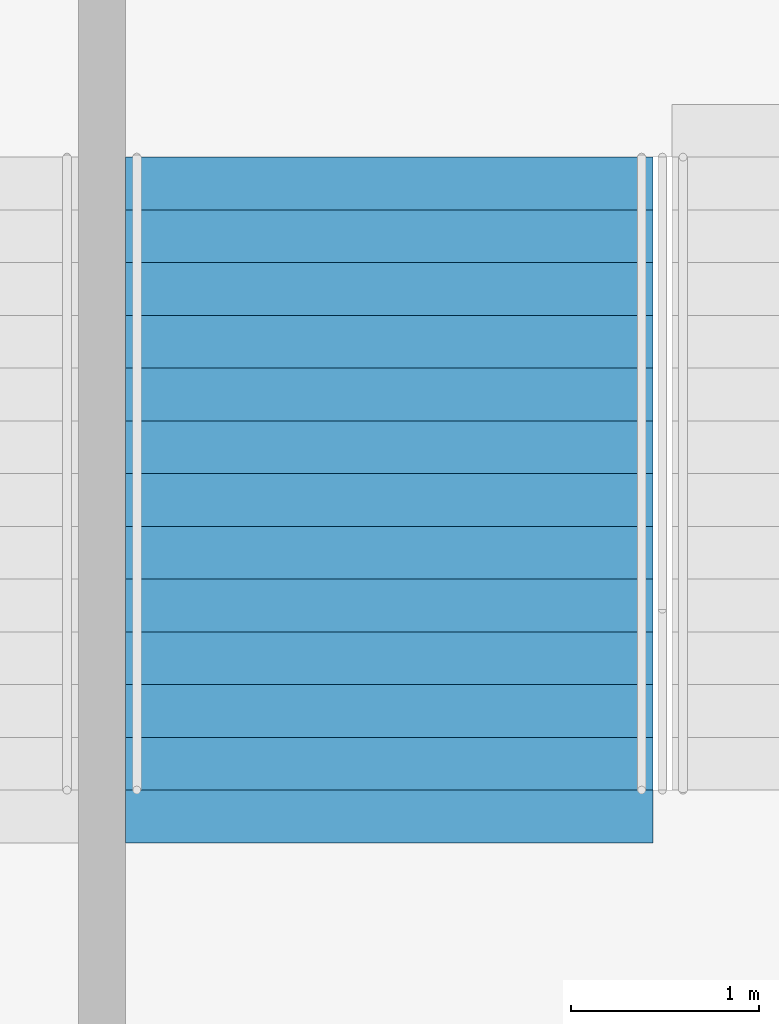
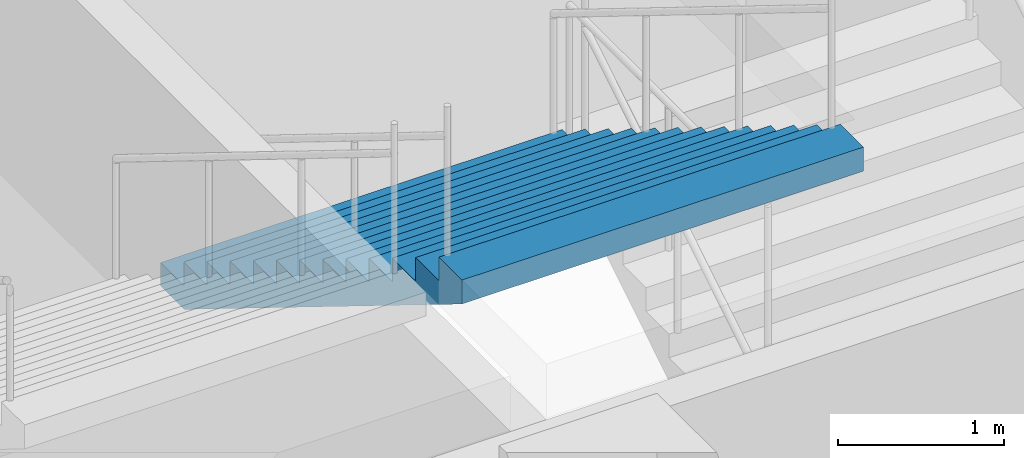
# One storey, part 168 of 199: 1 stair flight, 1 element without a shape of its own.
"""IFC4 building model written with IfcOpenShell, lengths in metres."""

import ifcopenshell
import ifcopenshell.guid

model = None  # the IFC model being written
_history = None  # IfcOwnerHistory: only IFC2X3 demands one
_inside = {}  # id of a spatial element -> (the spatial element, [elements in it])
_under = {}  # id of a project, library or spatial element -> (it, [spatial elements below it])
_declared = {}  # id of a project -> (the project, [libraries it declares])
_typed = {}  # id of a type object -> (the type object, [elements of that type])
_made_of = {}  # id of a material, layer set ... -> (it, [elements and type objects made of it])


def new_model(schema):
    """Start an empty IFC model of exactly this schema.

    Asked for "IFC4X3", IfcOpenShell would pick the latest addendum, in which some entities
    have other attributes; the version numbers below select the first issue.
    IFC2X3 requires an IfcOwnerHistory on every rooted entity: one is made here for all.
    """
    global model, _history
    if schema == "IFC4X3":
        model = ifcopenshell.file(schema_version=(4, 3, 0, 0))
    else:
        model = ifcopenshell.file(schema=schema)
    _inside.clear()
    _under.clear()
    _declared.clear()
    _typed.clear()
    _made_of.clear()
    _history = None
    if model.schema == "IFC2X3":
        org = make("IfcOrganization", Name="unknown")
        user = make(
            "IfcPersonAndOrganization",
            ThePerson=make("IfcPerson", FamilyName="unknown"),
            TheOrganization=org,
        )
        app = make(
            "IfcApplication",
            ApplicationDeveloper=org,
            Version="unknown",
            ApplicationFullName="unknown",
            ApplicationIdentifier="unknown",
        )
        _history = make(
            "IfcOwnerHistory",
            OwningUser=user,
            OwningApplication=app,
            ChangeAction="ADDED",
            CreationDate=0,
        )
    return model


def make(cls, **values):
    """One entity of the class cls with the attributes given. An attribute that is None is left unset."""
    return model.create_entity(
        cls, **{name: value for name, value in values.items() if value is not None}
    )


def rooted(cls, **values):
    """An entity with a GlobalId (a new one), such as an element, a storey or a relation."""
    return make(cls, GlobalId=ifcopenshell.guid.new(), OwnerHistory=_history, **values)


def si_unit(unit_type, name, prefix=None):
    """IfcSIUnit, for example si_unit("LENGTHUNIT", "METRE", prefix="MILLI")."""
    return make("IfcSIUnit", UnitType=unit_type, Prefix=prefix, Name=name)


def assignment(units):
    """IfcUnitAssignment: the units of a project."""
    return None if units is None else make("IfcUnitAssignment", Units=units)


def point(xyz):
    """IfcCartesianPoint."""
    return None if xyz is None else make("IfcCartesianPoint", Coordinates=xyz)


def direction(xyz):
    """IfcDirection."""
    return None if xyz is None else make("IfcDirection", DirectionRatios=xyz)


def frame(location, z_axis=None, x_axis=None):
    """IfcAxis2Placement3D, a coordinate frame: its origin and axes. An axis left out is left unset."""
    return make(
        "IfcAxis2Placement3D",
        Location=point(location),
        Axis=direction(z_axis),
        RefDirection=direction(x_axis),
    )


def origin():
    """The frame at (0, 0, 0) with its axes left unset."""
    return frame((0.0, 0.0, 0.0))


def place(relative_to, where):
    """IfcLocalPlacement: puts the frame where relative to a parent placement (None: the world)."""
    return make(
        "IfcLocalPlacement", PlacementRelTo=relative_to, RelativePlacement=where
    )


def context(
    kind, dimensions, precision=None, world=None, true_north=None, identifier=None
):
    """IfcGeometricRepresentationContext, for example the 3D "Model" context."""
    return make(
        "IfcGeometricRepresentationContext",
        ContextIdentifier=identifier,
        ContextType=kind,
        CoordinateSpaceDimension=dimensions,
        Precision=precision,
        WorldCoordinateSystem=world,
        TrueNorth=true_north,
    )


def subcontext(parent, identifier, kind, view, scale=None):
    """IfcGeometricRepresentationSubContext, for example "Body" below "Model"."""
    return make(
        "IfcGeometricRepresentationSubContext",
        ContextIdentifier=identifier,
        ContextType=kind,
        ParentContext=parent,
        TargetScale=scale,
        TargetView=view,
    )


def project(units=None, contexts=None):
    """IfcProject with its units and contexts."""
    return rooted(
        "IfcProject",
        Name="project",
        RepresentationContexts=contexts,
        UnitsInContext=assignment(units),
    )


def spatial(cls, under=None, at=None, **own):
    """A site, building, storey or space (cls), placed at a placement, below another one or the project."""
    s = rooted(cls, ObjectPlacement=at, **own)
    if under is not None:
        _under.setdefault(under.id(), (under, []))[1].append(s)
    return s


def faces_of(points, faces, orient=None, outer=None):
    """IfcFace entities. A face is a list of loops; a loop is a list of indices into points, from 0.

    orient and outer hold one flag for each loop. By default every Orientation is true, the
    first loop of a face is its IfcFaceOuterBound and the others are IfcFaceBound.
    """
    made = []
    for i, loops in enumerate(faces):
        bounds = []
        for j, loop in enumerate(loops):
            is_outer = j == 0 if outer is None else outer[i][j]
            bounds.append(
                make(
                    "IfcFaceOuterBound" if is_outer else "IfcFaceBound",
                    Bound=make("IfcPolyLoop", Polygon=[points[k] for k in loop]),
                    Orientation=True if orient is None else orient[i][j],
                )
            )
        made.append(make("IfcFace", Bounds=bounds))
    return made


def faceted_brep(points, faces, orient=None, outer=None, voids=None):
    """IfcFacetedBrep: a solid bounded by flat faces; with voids (closed shells), ...WithVoids."""
    shared = [point(p) for p in points]
    hull = make("IfcClosedShell", CfsFaces=faces_of(shared, faces, orient, outer))
    if voids is None:
        return make("IfcFacetedBrep", Outer=hull)
    return make(
        "IfcFacetedBrepWithVoids",
        Outer=hull,
        Voids=[
            make(cls, CfsFaces=faces_of(shared, fs, o, b)) for cls, fs, o, b in voids
        ],
    )


def shape(context_of_items, identifier, shape_type, items):
    """IfcShapeRepresentation: the items that make up one representation, for example the "Body"."""
    return make(
        "IfcShapeRepresentation",
        ContextOfItems=context_of_items,
        RepresentationIdentifier=identifier,
        RepresentationType=shape_type,
        Items=items,
    )


def material(Name=None, Category=None):
    """IfcMaterial."""
    return make("IfcMaterial", Name=Name, Category=Category)


def made_of(thing, what):
    """Note that an element or type object is made of a material, layer set ...; save() writes the relation."""
    if what is not None:
        _made_of.setdefault(what.id(), (what, []))[1].append(thing)
    return thing


def type_object(cls, material=None, **own):
    """A type object (cls), such as IfcWallType, which elements share."""
    return made_of(rooted(cls, **own), material)


def element(
    cls,
    number,
    at=None,
    inside=None,
    cuts=None,
    type_object=None,
    material=None,
    context=None,
    identifier="Body",
    shape_type=None,
    held_by="IfcProductDefinitionShape",
    body=None,
    shapes=None,
    **own,
):
    """One element of the class cls, such as IfcWall. Its Tag is "e" and its number.

    at: its placement. inside: the storey or other place that contains it. cuts: it is an
    opening in that element (IfcRelVoidsElement). A single representation is given by context,
    identifier, shape_type and body (its items); several are given by shapes. held_by: the class
    of the entity that holds the representations. save() writes the other relations.
    """
    e = rooted(cls, Tag="e%d" % number, ObjectPlacement=at, **own)
    if body is not None:
        shapes = [shape(context, identifier, shape_type, body)]
    if shapes is not None:
        e.Representation = make(held_by, Representations=shapes)
    if inside is not None:
        _inside.setdefault(inside.id(), (inside, []))[1].append(e)
    if cuts is not None:
        rooted(
            "IfcRelVoidsElement", RelatingBuildingElement=cuts, RelatedOpeningElement=e
        )
    if type_object is not None:
        _typed.setdefault(type_object.id(), (type_object, []))[1].append(e)
    return made_of(e, material)


def aggregate(whole, parts):
    """IfcRelAggregates: a whole, such as a stair, and the parts it consists of."""
    return rooted("IfcRelAggregates", RelatingObject=whole, RelatedObjects=parts)


def save(model, path):
    """Write the relations noted so far, then the file.

    IfcRelAggregates (storeys below a building ...), IfcRelContainedInSpatialStructure (elements
    in a storey), IfcRelDefinesByType, IfcRelAssociatesMaterial and IfcRelDeclares: one each for
    every whole, place, type object, material and project.
    """
    for whole, parts in _under.values():
        aggregate(whole, parts)
    for where, things in _inside.values():
        rooted(
            "IfcRelContainedInSpatialStructure",
            RelatedElements=things,
            RelatingStructure=where,
        )
    for kind, things in _typed.values():
        rooted("IfcRelDefinesByType", RelatedObjects=things, RelatingType=kind)
    for what, things in _made_of.values():
        rooted("IfcRelAssociatesMaterial", RelatedObjects=things, RelatingMaterial=what)
    for by, libraries in _declared.values():
        rooted("IfcRelDeclares", RelatingContext=by, RelatedDefinitions=libraries)
    model.write(path)


model = new_model("IFC4")

# Units and contexts
model_context = context("Model", 3, precision=1e-05, world=origin(), true_north=direction((0.0, 1.0)))
body_context = subcontext(model_context, "Body", "Model", "MODEL_VIEW")
ifc_project = project(units=[si_unit("LENGTHUNIT", "METRE"), si_unit("AREAUNIT", "SQUARE_METRE"), si_unit("VOLUMEUNIT", "CUBIC_METRE"), si_unit("PLANEANGLEUNIT", "RADIAN"), si_unit("MASSUNIT", "GRAM", prefix="KILO")], contexts=[model_context])

# Site, building, storey
site_placement = place(None, origin())
site = spatial("IfcSite", under=ifc_project, at=site_placement, CompositionType="ELEMENT")
building_placement = place(site_placement, origin())
building = spatial("IfcBuilding", under=site, at=building_placement, Name="Ogive Plaza Stadium", CompositionType="ELEMENT")
storey_placement = place(building_placement, frame((0.0, 0.0, 4.5)))
storey = spatial("IfcBuildingStorey", under=building, at=storey_placement, Name="L01", CompositionType="ELEMENT", Elevation=4.5)

# Stair, stair flight
ifc_material_1 = material(Name="Concrete C40/50", Category="concrete")
stair_type = type_object("IfcStairType", Name="Exit stair", PredefinedType="STRAIGHT_RUN_STAIR", material=ifc_material_1)
stair_placement = place(storey_placement, origin())
stair = element("IfcStair", 1, at=stair_placement, inside=storey, type_object=stair_type, Name="Exit stair ST34A L01 to L02", PredefinedType="STRAIGHT_RUN_STAIR")
ifc_material_2 = material(Name="Concrete C40/50", Category="concrete")
stair_flight_type = type_object("IfcStairFlightType", Name="Exit stair flight", PredefinedType="STRAIGHT", material=ifc_material_2)
stair_flight_placement = place(storey_placement, frame((-5.27490234375, 98.2099609375, 2.25), z_axis=(0.0, 0.0, 1.0), x_axis=(0.0, -1.0, 0.0)))
stair_flight = element("IfcStairFlight", 2, at=stair_flight_placement, type_object=stair_flight_type, Name="ST34A flight 2", NumberOfRisers=13, NumberOfTreads=12, PredefinedType="STRAIGHT", RiserHeight=0.173076923, TreadLength=0.28, context=body_context, shape_type="Brep", body=[
    faceted_brep([(0.28515625, -1.39990234375, 0.0), (3.639892578125, -1.39990234375, 2.07373046875), (3.639892578125, -1.39990234375, 2.25), (3.360107421875, -1.39990234375, 2.25), (3.360107421875, -1.39990234375, 2.076904296875), (3.080078125, -1.39990234375, 2.076904296875), (3.080078125, -1.39990234375, 1.90380859375), (2.800048828125, -1.39990234375, 1.90380859375), (2.800048828125, -1.39990234375, 1.730712890625), (2.52001953125, -1.39990234375, 1.730712890625), (2.52001953125, -1.39990234375, 1.5576171875), (2.239990234375, -1.39990234375, 1.5576171875), (2.239990234375, -1.39990234375, 1.384521484375), (1.9599609375, -1.39990234375, 1.384521484375), (1.9599609375, -1.39990234375, 1.21142578125), (1.679931640625, -1.39990234375, 1.21142578125), (1.679931640625, -1.39990234375, 1.03857421875), (1.39990234375, -1.39990234375, 1.03857421875), (1.39990234375, -1.39990234375, 0.865478515625), (1.1201171875, -1.39990234375, 0.865478515625), (1.1201171875, -1.39990234375, 0.6923828125), (0.840087890625, -1.39990234375, 0.6923828125), (0.840087890625, -1.39990234375, 0.519287109375), (0.56005859375, -1.39990234375, 0.519287109375), (0.56005859375, -1.39990234375, 0.34619140625), (0.280029296875, -1.39990234375, 0.34619140625), (0.280029296875, -1.39990234375, 0.173095703125), (0.0, -1.39990234375, 0.173095703125), (0.0, -1.39990234375, 0.0), (0.0, 1.39990234375, 0.0), (0.0, 1.39990234375, 0.173095703125), (0.280029296875, 1.39990234375, 0.173095703125), (0.280029296875, 1.39990234375, 0.34619140625), (0.56005859375, 1.39990234375, 0.34619140625), (0.56005859375, 1.39990234375, 0.519287109375), (0.840087890625, 1.39990234375, 0.519287109375), (0.840087890625, 1.39990234375, 0.6923828125), (1.1201171875, 1.39990234375, 0.6923828125), (1.1201171875, 1.39990234375, 0.865478515625), (1.39990234375, 1.39990234375, 0.865478515625), (1.39990234375, 1.39990234375, 1.03857421875), (1.679931640625, 1.39990234375, 1.03857421875), (1.679931640625, 1.39990234375, 1.21142578125), (1.9599609375, 1.39990234375, 1.21142578125), (1.9599609375, 1.39990234375, 1.384521484375), (2.239990234375, 1.39990234375, 1.384521484375), (2.239990234375, 1.39990234375, 1.5576171875), (2.52001953125, 1.39990234375, 1.5576171875), (2.52001953125, 1.39990234375, 1.730712890625), (2.800048828125, 1.39990234375, 1.730712890625), (2.800048828125, 1.39990234375, 1.90380859375), (3.080078125, 1.39990234375, 1.90380859375), (3.080078125, 1.39990234375, 2.076904296875), (3.360107421875, 1.39990234375, 2.076904296875), (3.360107421875, 1.39990234375, 2.25), (3.639892578125, 1.39990234375, 2.25), (3.639892578125, 1.39990234375, 2.07373046875), (0.28515625, 1.39990234375, 0.0), (0.28515625, -1.0888671875, 0.0), (3.639892578125, -1.0888671875, 2.07373046875), (0.28515625, -0.77783203125, 0.0), (3.639892578125, -0.77783203125, 2.07373046875), (0.28515625, -0.466796875, 0.0), (3.639892578125, -0.466796875, 2.07373046875), (0.28515625, -0.155517578125, 0.0), (3.639892578125, -0.155517578125, 2.07373046875), (0.28515625, 0.155517578125, 0.0), (3.639892578125, 0.155517578125, 2.07373046875), (0.28515625, 0.466796875, 0.0), (3.639892578125, 0.466796875, 2.07373046875), (0.28515625, 0.77783203125, 0.0), (3.639892578125, 0.77783203125, 2.07373046875), (0.28515625, 1.0888671875, 0.0), (3.639892578125, 1.0888671875, 2.07373046875), (3.639892578125, -1.0888671875, 2.25), (3.639892578125, -0.77783203125, 2.25), (3.639892578125, -0.466796875, 2.25), (3.639892578125, -0.155517578125, 2.25), (3.639892578125, 0.155517578125, 2.25), (3.639892578125, 0.466796875, 2.25), (3.639892578125, 0.77783203125, 2.25), (3.639892578125, 1.0888671875, 2.25), (3.360107421875, -1.0888671875, 2.25), (3.360107421875, -0.77783203125, 2.25), (3.360107421875, -0.466796875, 2.25), (3.360107421875, -0.155517578125, 2.25), (3.360107421875, 0.155517578125, 2.25), (3.360107421875, 0.466796875, 2.25), (3.360107421875, 0.77783203125, 2.25), (3.360107421875, 1.0888671875, 2.25), (3.360107421875, -1.0888671875, 2.076904296875), (3.360107421875, -0.77783203125, 2.076904296875), (3.360107421875, -0.466796875, 2.076904296875), (3.360107421875, -0.155517578125, 2.076904296875), (3.360107421875, 0.155517578125, 2.076904296875), (3.360107421875, 0.466796875, 2.076904296875), (3.360107421875, 0.77783203125, 2.076904296875), (3.360107421875, 1.0888671875, 2.076904296875), (3.080078125, -1.0888671875, 2.076904296875), (3.080078125, -0.77783203125, 2.076904296875), (3.080078125, -0.466796875, 2.076904296875), (3.080078125, -0.155517578125, 2.076904296875), (3.080078125, 0.155517578125, 2.076904296875), (3.080078125, 0.466796875, 2.076904296875), (3.080078125, 0.77783203125, 2.076904296875), (3.080078125, 1.0888671875, 2.076904296875), (3.080078125, -1.0888671875, 1.90380859375), (3.080078125, -0.77783203125, 1.90380859375), (3.080078125, -0.466796875, 1.90380859375), (3.080078125, -0.155517578125, 1.90380859375), (3.080078125, 0.155517578125, 1.90380859375), (3.080078125, 0.466796875, 1.90380859375), (3.080078125, 0.77783203125, 1.90380859375), (3.080078125, 1.0888671875, 1.90380859375), (2.800048828125, -1.0888671875, 1.90380859375), (2.800048828125, -0.77783203125, 1.90380859375), (2.800048828125, -0.466796875, 1.90380859375), (2.800048828125, -0.155517578125, 1.90380859375), (2.800048828125, 0.155517578125, 1.90380859375), (2.800048828125, 0.466796875, 1.90380859375), (2.800048828125, 0.77783203125, 1.90380859375), (2.800048828125, 1.0888671875, 1.90380859375), (2.800048828125, -1.0888671875, 1.730712890625), (2.800048828125, -0.77783203125, 1.730712890625), (2.800048828125, -0.466796875, 1.730712890625), (2.800048828125, -0.155517578125, 1.730712890625), (2.800048828125, 0.155517578125, 1.730712890625), (2.800048828125, 0.466796875, 1.730712890625), (2.800048828125, 0.77783203125, 1.730712890625), (2.800048828125, 1.0888671875, 1.730712890625), (2.52001953125, -1.0888671875, 1.730712890625), (2.52001953125, -0.77783203125, 1.730712890625), (2.52001953125, -0.466796875, 1.730712890625), (2.52001953125, -0.155517578125, 1.730712890625), (2.52001953125, 0.155517578125, 1.730712890625), (2.52001953125, 0.466796875, 1.730712890625), (2.52001953125, 0.77783203125, 1.730712890625), (2.52001953125, 1.0888671875, 1.730712890625), (2.52001953125, -1.0888671875, 1.5576171875), (2.52001953125, -0.77783203125, 1.5576171875), (2.52001953125, -0.466796875, 1.5576171875), (2.52001953125, -0.155517578125, 1.5576171875), (2.52001953125, 0.155517578125, 1.5576171875), (2.52001953125, 0.466796875, 1.5576171875), (2.52001953125, 0.77783203125, 1.5576171875), (2.52001953125, 1.0888671875, 1.5576171875), (2.239990234375, -1.0888671875, 1.5576171875), (2.239990234375, -0.77783203125, 1.5576171875), (2.239990234375, -0.466796875, 1.5576171875), (2.239990234375, -0.155517578125, 1.5576171875), (2.239990234375, 0.155517578125, 1.5576171875), (2.239990234375, 0.466796875, 1.5576171875), (2.239990234375, 0.77783203125, 1.5576171875), (2.239990234375, 1.0888671875, 1.5576171875), (2.239990234375, -1.0888671875, 1.384521484375), (2.239990234375, -0.77783203125, 1.384521484375), (2.239990234375, -0.466796875, 1.384521484375), (2.239990234375, -0.155517578125, 1.384521484375), (2.239990234375, 0.155517578125, 1.384521484375), (2.239990234375, 0.466796875, 1.384521484375), (2.239990234375, 0.77783203125, 1.384521484375), (2.239990234375, 1.0888671875, 1.384521484375), (1.9599609375, -1.0888671875, 1.384521484375), (1.9599609375, -0.77783203125, 1.384521484375), (1.9599609375, -0.466796875, 1.384521484375), (1.9599609375, -0.155517578125, 1.384521484375), (1.9599609375, 0.155517578125, 1.384521484375), (1.9599609375, 0.466796875, 1.384521484375), (1.9599609375, 0.77783203125, 1.384521484375), (1.9599609375, 1.0888671875, 1.384521484375), (1.9599609375, -1.0888671875, 1.21142578125), (1.9599609375, -0.77783203125, 1.21142578125), (1.9599609375, -0.466796875, 1.21142578125), (1.9599609375, -0.155517578125, 1.21142578125), (1.9599609375, 0.155517578125, 1.21142578125), (1.9599609375, 0.466796875, 1.21142578125), (1.9599609375, 0.77783203125, 1.21142578125), (1.9599609375, 1.0888671875, 1.21142578125), (1.679931640625, -1.0888671875, 1.21142578125), (1.679931640625, -0.77783203125, 1.21142578125), (1.679931640625, -0.466796875, 1.21142578125), (1.679931640625, -0.155517578125, 1.21142578125), (1.679931640625, 0.155517578125, 1.21142578125), (1.679931640625, 0.466796875, 1.21142578125), (1.679931640625, 0.77783203125, 1.21142578125), (1.679931640625, 1.0888671875, 1.21142578125), (1.679931640625, -1.0888671875, 1.03857421875), (1.679931640625, -0.77783203125, 1.03857421875), (1.679931640625, -0.466796875, 1.03857421875), (1.679931640625, -0.155517578125, 1.03857421875), (1.679931640625, 0.155517578125, 1.03857421875), (1.679931640625, 0.466796875, 1.03857421875), (1.679931640625, 0.77783203125, 1.03857421875), (1.679931640625, 1.0888671875, 1.03857421875), (1.39990234375, -1.0888671875, 1.03857421875), (1.39990234375, -0.77783203125, 1.03857421875), (1.39990234375, -0.466796875, 1.03857421875), (1.39990234375, -0.155517578125, 1.03857421875), (1.39990234375, 0.155517578125, 1.03857421875), (1.39990234375, 0.466796875, 1.03857421875), (1.39990234375, 0.77783203125, 1.03857421875), (1.39990234375, 1.0888671875, 1.03857421875), (1.39990234375, -1.0888671875, 0.865478515625), (1.39990234375, -0.77783203125, 0.865478515625), (1.39990234375, -0.466796875, 0.865478515625), (1.39990234375, -0.155517578125, 0.865478515625), (1.39990234375, 0.155517578125, 0.865478515625), (1.39990234375, 0.466796875, 0.865478515625), (1.39990234375, 0.77783203125, 0.865478515625), (1.39990234375, 1.0888671875, 0.865478515625), (1.1201171875, -1.0888671875, 0.865478515625), (1.1201171875, -0.77783203125, 0.865478515625), (1.1201171875, -0.466796875, 0.865478515625), (1.1201171875, -0.155517578125, 0.865478515625), (1.1201171875, 0.155517578125, 0.865478515625), (1.1201171875, 0.466796875, 0.865478515625), (1.1201171875, 0.77783203125, 0.865478515625), (1.1201171875, 1.0888671875, 0.865478515625), (1.1201171875, -1.0888671875, 0.6923828125), (1.1201171875, -0.77783203125, 0.6923828125), (1.1201171875, -0.466796875, 0.6923828125), (1.1201171875, -0.155517578125, 0.6923828125), (1.1201171875, 0.155517578125, 0.6923828125), (1.1201171875, 0.466796875, 0.6923828125), (1.1201171875, 0.77783203125, 0.6923828125), (1.1201171875, 1.0888671875, 0.6923828125), (0.840087890625, -1.0888671875, 0.6923828125), (0.840087890625, -0.77783203125, 0.6923828125), (0.840087890625, -0.466796875, 0.6923828125), (0.840087890625, -0.155517578125, 0.6923828125), (0.840087890625, 0.155517578125, 0.6923828125), (0.840087890625, 0.466796875, 0.6923828125), (0.840087890625, 0.77783203125, 0.6923828125), (0.840087890625, 1.0888671875, 0.6923828125), (0.840087890625, -1.0888671875, 0.519287109375), (0.840087890625, -0.77783203125, 0.519287109375), (0.840087890625, -0.466796875, 0.519287109375), (0.840087890625, -0.155517578125, 0.519287109375), (0.840087890625, 0.155517578125, 0.519287109375), (0.840087890625, 0.466796875, 0.519287109375), (0.840087890625, 0.77783203125, 0.519287109375), (0.840087890625, 1.0888671875, 0.519287109375), (0.56005859375, -1.0888671875, 0.519287109375), (0.56005859375, -0.77783203125, 0.519287109375), (0.56005859375, -0.466796875, 0.519287109375), (0.56005859375, -0.155517578125, 0.519287109375), (0.56005859375, 0.155517578125, 0.519287109375), (0.56005859375, 0.466796875, 0.519287109375), (0.56005859375, 0.77783203125, 0.519287109375), (0.56005859375, 1.0888671875, 0.519287109375), (0.56005859375, -1.0888671875, 0.34619140625), (0.56005859375, -0.77783203125, 0.34619140625), (0.56005859375, -0.466796875, 0.34619140625), (0.56005859375, -0.155517578125, 0.34619140625), (0.56005859375, 0.155517578125, 0.34619140625), (0.56005859375, 0.466796875, 0.34619140625), (0.56005859375, 0.77783203125, 0.34619140625), (0.56005859375, 1.0888671875, 0.34619140625), (0.280029296875, -1.0888671875, 0.34619140625), (0.280029296875, -0.77783203125, 0.34619140625), (0.280029296875, -0.466796875, 0.34619140625), (0.280029296875, -0.155517578125, 0.34619140625), (0.280029296875, 0.155517578125, 0.34619140625), (0.280029296875, 0.466796875, 0.34619140625), (0.280029296875, 0.77783203125, 0.34619140625), (0.280029296875, 1.0888671875, 0.34619140625), (0.280029296875, -1.0888671875, 0.173095703125), (0.280029296875, -0.77783203125, 0.173095703125), (0.280029296875, -0.466796875, 0.173095703125), (0.280029296875, -0.155517578125, 0.173095703125), (0.280029296875, 0.155517578125, 0.173095703125), (0.280029296875, 0.466796875, 0.173095703125), (0.280029296875, 0.77783203125, 0.173095703125), (0.280029296875, 1.0888671875, 0.173095703125), (0.0, -1.0888671875, 0.173095703125), (0.0, -0.77783203125, 0.173095703125), (0.0, -0.466796875, 0.173095703125), (0.0, -0.155517578125, 0.173095703125), (0.0, 0.155517578125, 0.173095703125), (0.0, 0.466796875, 0.173095703125), (0.0, 0.77783203125, 0.173095703125), (0.0, 1.0888671875, 0.173095703125), (0.0, -1.0888671875, 0.0), (0.0, -0.77783203125, 0.0), (0.0, -0.466796875, 0.0), (0.0, -0.155517578125, 0.0), (0.0, 0.155517578125, 0.0), (0.0, 0.466796875, 0.0), (0.0, 0.77783203125, 0.0), (0.0, 1.0888671875, 0.0)], [[[0, 1, 2, 3, 4, 5, 6, 7, 8, 9, 10, 11, 12, 13, 14, 15, 16, 17, 18, 19, 20, 21, 22, 23, 24, 25, 26, 27, 28]], [[29, 30, 31, 32, 33, 34, 35, 36, 37, 38, 39, 40, 41, 42, 43, 44, 45, 46, 47, 48, 49, 50, 51, 52, 53, 54, 55, 56, 57]], [[0, 58, 59, 1]], [[58, 60, 61, 59]], [[60, 62, 63, 61]], [[62, 64, 65, 63]], [[64, 66, 67, 65]], [[66, 68, 69, 67]], [[68, 70, 71, 69]], [[70, 72, 73, 71]], [[72, 57, 56, 73]], [[1, 59, 74, 2]], [[59, 61, 75, 74]], [[61, 63, 76, 75]], [[63, 65, 77, 76]], [[65, 67, 78, 77]], [[67, 69, 79, 78]], [[69, 71, 80, 79]], [[71, 73, 81, 80]], [[73, 56, 55, 81]], [[2, 74, 82, 3]], [[74, 75, 83, 82]], [[75, 76, 84, 83]], [[76, 77, 85, 84]], [[77, 78, 86, 85]], [[78, 79, 87, 86]], [[79, 80, 88, 87]], [[80, 81, 89, 88]], [[81, 55, 54, 89]], [[3, 82, 90, 4]], [[82, 83, 91, 90]], [[83, 84, 92, 91]], [[84, 85, 93, 92]], [[85, 86, 94, 93]], [[86, 87, 95, 94]], [[87, 88, 96, 95]], [[88, 89, 97, 96]], [[89, 54, 53, 97]], [[4, 90, 98, 5]], [[90, 91, 99, 98]], [[91, 92, 100, 99]], [[92, 93, 101, 100]], [[93, 94, 102, 101]], [[94, 95, 103, 102]], [[95, 96, 104, 103]], [[96, 97, 105, 104]], [[97, 53, 52, 105]], [[5, 98, 106, 6]], [[98, 99, 107, 106]], [[99, 100, 108, 107]], [[100, 101, 109, 108]], [[101, 102, 110, 109]], [[102, 103, 111, 110]], [[103, 104, 112, 111]], [[104, 105, 113, 112]], [[105, 52, 51, 113]], [[6, 106, 114, 7]], [[106, 107, 115, 114]], [[107, 108, 116, 115]], [[108, 109, 117, 116]], [[109, 110, 118, 117]], [[110, 111, 119, 118]], [[111, 112, 120, 119]], [[112, 113, 121, 120]], [[113, 51, 50, 121]], [[7, 114, 122, 8]], [[114, 115, 123, 122]], [[115, 116, 124, 123]], [[116, 117, 125, 124]], [[117, 118, 126, 125]], [[118, 119, 127, 126]], [[119, 120, 128, 127]], [[120, 121, 129, 128]], [[121, 50, 49, 129]], [[8, 122, 130, 9]], [[122, 123, 131, 130]], [[123, 124, 132, 131]], [[124, 125, 133, 132]], [[125, 126, 134, 133]], [[126, 127, 135, 134]], [[127, 128, 136, 135]], [[128, 129, 137, 136]], [[129, 49, 48, 137]], [[9, 130, 138, 10]], [[130, 131, 139, 138]], [[131, 132, 140, 139]], [[132, 133, 141, 140]], [[133, 134, 142, 141]], [[134, 135, 143, 142]], [[135, 136, 144, 143]], [[136, 137, 145, 144]], [[137, 48, 47, 145]], [[10, 138, 146, 11]], [[138, 139, 147, 146]], [[139, 140, 148, 147]], [[140, 141, 149, 148]], [[141, 142, 150, 149]], [[142, 143, 151, 150]], [[143, 144, 152, 151]], [[144, 145, 153, 152]], [[145, 47, 46, 153]], [[11, 146, 154, 12]], [[146, 147, 155, 154]], [[147, 148, 156, 155]], [[148, 149, 157, 156]], [[149, 150, 158, 157]], [[150, 151, 159, 158]], [[151, 152, 160, 159]], [[152, 153, 161, 160]], [[153, 46, 45, 161]], [[12, 154, 162, 13]], [[154, 155, 163, 162]], [[155, 156, 164, 163]], [[156, 157, 165, 164]], [[157, 158, 166, 165]], [[158, 159, 167, 166]], [[159, 160, 168, 167]], [[160, 161, 169, 168]], [[161, 45, 44, 169]], [[13, 162, 170, 14]], [[162, 163, 171, 170]], [[163, 164, 172, 171]], [[164, 165, 173, 172]], [[165, 166, 174, 173]], [[166, 167, 175, 174]], [[167, 168, 176, 175]], [[168, 169, 177, 176]], [[169, 44, 43, 177]], [[14, 170, 178, 15]], [[170, 171, 179, 178]], [[171, 172, 180, 179]], [[172, 173, 181, 180]], [[173, 174, 182, 181]], [[174, 175, 183, 182]], [[175, 176, 184, 183]], [[176, 177, 185, 184]], [[177, 43, 42, 185]], [[15, 178, 186, 16]], [[178, 179, 187, 186]], [[179, 180, 188, 187]], [[180, 181, 189, 188]], [[181, 182, 190, 189]], [[182, 183, 191, 190]], [[183, 184, 192, 191]], [[184, 185, 193, 192]], [[185, 42, 41, 193]], [[16, 186, 194, 17]], [[186, 187, 195, 194]], [[187, 188, 196, 195]], [[188, 189, 197, 196]], [[189, 190, 198, 197]], [[190, 191, 199, 198]], [[191, 192, 200, 199]], [[192, 193, 201, 200]], [[193, 41, 40, 201]], [[17, 194, 202, 18]], [[194, 195, 203, 202]], [[195, 196, 204, 203]], [[196, 197, 205, 204]], [[197, 198, 206, 205]], [[198, 199, 207, 206]], [[199, 200, 208, 207]], [[200, 201, 209, 208]], [[201, 40, 39, 209]], [[18, 202, 210, 19]], [[202, 203, 211, 210]], [[203, 204, 212, 211]], [[204, 205, 213, 212]], [[205, 206, 214, 213]], [[206, 207, 215, 214]], [[207, 208, 216, 215]], [[208, 209, 217, 216]], [[209, 39, 38, 217]], [[19, 210, 218, 20]], [[210, 211, 219, 218]], [[211, 212, 220, 219]], [[212, 213, 221, 220]], [[213, 214, 222, 221]], [[214, 215, 223, 222]], [[215, 216, 224, 223]], [[216, 217, 225, 224]], [[217, 38, 37, 225]], [[20, 218, 226, 21]], [[218, 219, 227, 226]], [[219, 220, 228, 227]], [[220, 221, 229, 228]], [[221, 222, 230, 229]], [[222, 223, 231, 230]], [[223, 224, 232, 231]], [[224, 225, 233, 232]], [[225, 37, 36, 233]], [[21, 226, 234, 22]], [[226, 227, 235, 234]], [[227, 228, 236, 235]], [[228, 229, 237, 236]], [[229, 230, 238, 237]], [[230, 231, 239, 238]], [[231, 232, 240, 239]], [[232, 233, 241, 240]], [[233, 36, 35, 241]], [[22, 234, 242, 23]], [[234, 235, 243, 242]], [[235, 236, 244, 243]], [[236, 237, 245, 244]], [[237, 238, 246, 245]], [[238, 239, 247, 246]], [[239, 240, 248, 247]], [[240, 241, 249, 248]], [[241, 35, 34, 249]], [[23, 242, 250, 24]], [[242, 243, 251, 250]], [[243, 244, 252, 251]], [[244, 245, 253, 252]], [[245, 246, 254, 253]], [[246, 247, 255, 254]], [[247, 248, 256, 255]], [[248, 249, 257, 256]], [[249, 34, 33, 257]], [[24, 250, 258, 25]], [[250, 251, 259, 258]], [[251, 252, 260, 259]], [[252, 253, 261, 260]], [[253, 254, 262, 261]], [[254, 255, 263, 262]], [[255, 256, 264, 263]], [[256, 257, 265, 264]], [[257, 33, 32, 265]], [[25, 258, 266, 26]], [[258, 259, 267, 266]], [[259, 260, 268, 267]], [[260, 261, 269, 268]], [[261, 262, 270, 269]], [[262, 263, 271, 270]], [[263, 264, 272, 271]], [[264, 265, 273, 272]], [[265, 32, 31, 273]], [[26, 266, 274, 27]], [[266, 267, 275, 274]], [[267, 268, 276, 275]], [[268, 269, 277, 276]], [[269, 270, 278, 277]], [[270, 271, 279, 278]], [[271, 272, 280, 279]], [[272, 273, 281, 280]], [[273, 31, 30, 281]], [[27, 274, 282, 28]], [[274, 275, 283, 282]], [[275, 276, 284, 283]], [[276, 277, 285, 284]], [[277, 278, 286, 285]], [[278, 279, 287, 286]], [[279, 280, 288, 287]], [[280, 281, 289, 288]], [[281, 30, 29, 289]], [[28, 282, 58, 0]], [[282, 283, 60, 58]], [[283, 284, 62, 60]], [[284, 285, 64, 62]], [[285, 286, 66, 64]], [[286, 287, 68, 66]], [[287, 288, 70, 68]], [[288, 289, 72, 70]], [[289, 29, 57, 72]]]),
])
aggregate(stair, [stair_flight])

save(model, "model.ifc")
